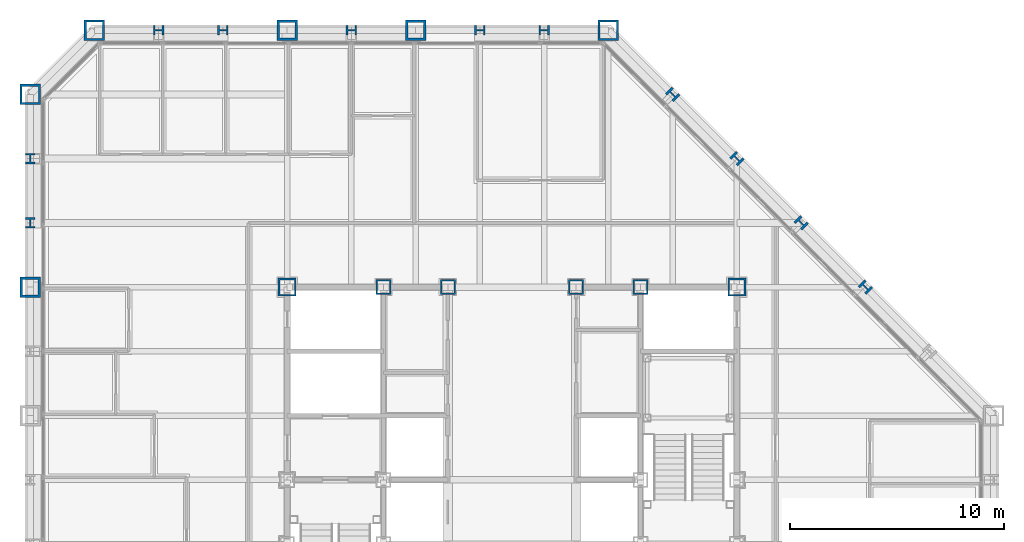
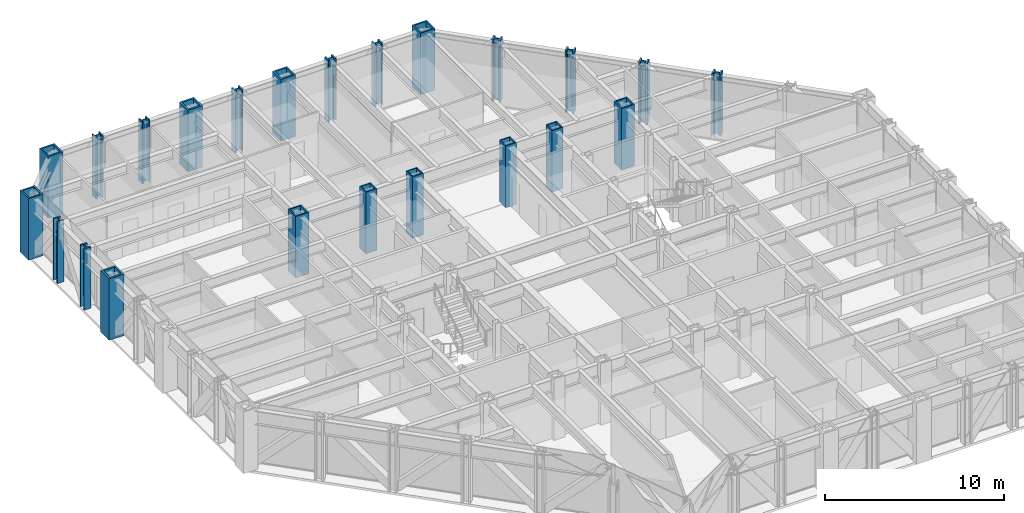
# One storey, part 3 of 16: 23 columns.
"""IFC4 building model written with IfcOpenShell, lengths in metres."""

from ifc_helpers import new_model, si_unit, direction, frame, origin, origin_2d, place, context, subcontext, project, spatial, hollow_rectangle, i_section, extrude, material, material_profile, profile_set, type_object, element, save


model = new_model("IFC4")

# Units and contexts
model_context = context("Model", 3, precision=1e-05, world=origin(), true_north=direction((0.0, 1.0)))
body_context = subcontext(model_context, "Body", "Model", "MODEL_VIEW")
ifc_project = project(units=[si_unit("LENGTHUNIT", "METRE"), si_unit("AREAUNIT", "SQUARE_METRE"), si_unit("VOLUMEUNIT", "CUBIC_METRE"), si_unit("PLANEANGLEUNIT", "RADIAN"), si_unit("MASSUNIT", "GRAM", prefix="KILO")], contexts=[model_context])

# Site, building, storey
site_placement = place(None, origin())
site = spatial("IfcSite", under=ifc_project, at=site_placement, CompositionType="ELEMENT")
building_placement = place(site_placement, origin())
building = spatial("IfcBuilding", under=site, at=building_placement, Name="Chuquiago Exchange Tower", CompositionType="ELEMENT")
storey_placement = place(building_placement, frame((0.0, 0.0, 127.800048828125)))
storey = spatial("IfcBuildingStorey", under=building, at=storey_placement, Name="L27", CompositionType="ELEMENT", Elevation=127.800048828125)

# Columns
ifc_material_1 = material(Name="Steel ASTM A992", Category="steel")
ifc_material_profile_1 = material_profile(ifc_material_1, i_section(OverallWidth=0.431884765625, OverallDepth=0.497802734375, WebThickness=0.0556640625, FlangeThickness=0.0888671875, at=origin_2d()), Name="W14X500")
ifc_profile_set_1 = profile_set([ifc_material_profile_1], Name="Steel ASTM A992")
column_type_1 = type_object("IfcColumnType", Name="C3 W14X500", PredefinedType="COLUMN", material=ifc_profile_set_1)
for number, where, z_axis, x_axis, name in (
    (1, (24.0, 45.0, 0.0), (0.0, 0.0, 1.0), (0.0, 1.0, 0.0), "COL-L27-24_45"),
    (2, (21.0, 45.0, 0.0), (0.0, 0.0, 1.0), (0.0, 1.0, 0.0), "COL-L27-21_45"),
    (3, (15.0, 45.0, 0.0), (0.0, 0.0, 1.0), (0.0, 1.0, 0.0), "COL-L27-15_45"),
    (4, (9.0, 45.0, 0.0), (0.0, 0.0, 1.0), (0.0, 1.0, 0.0), "COL-L27-9_45"),
    (5, (6.0, 45.0, 0.0), (0.0, 0.0, 1.0), (0.0, 1.0, 0.0), "COL-L27-6_45"),
    (6, (0.0, 39.0, 0.0), (0.0, 0.0, 1.0), (-1.0, 0.0, 0.0), "COL-L27-0_39"),
    (7, (0.0, 36.0, 0.0), (0.0, 0.0, 1.0), (-1.0, 0.0, 0.0), "COL-L27-0_36"),
):
    element("IfcColumn", number, at=place(storey_placement, frame(where, z_axis=z_axis, x_axis=x_axis)), inside=storey, type_object=column_type_1, Name=name, PredefinedType="COLUMN", context=body_context, shape_type="SweptSolid", body=[
        extrude(i_section(OverallWidth=0.431884765625, OverallDepth=0.497802734375, WebThickness=0.0556640625, FlangeThickness=0.0888671875, at=origin_2d()), origin(), (0.0, 0.0, 1.0), 4.199951171875),
    ])
ifc_material_2 = material(Name="Steel ASTM A572 Grade 50", Category="steel")
ifc_material_profile_2 = material_profile(ifc_material_2, hollow_rectangle(XDim=0.699951171875, YDim=0.699951171875, WallThickness=0.070068359375, at=origin_2d()), Name="BOX700X700X70")
ifc_profile_set_2 = profile_set([ifc_material_profile_2], Name="Steel ASTM A572 Grade 50")
column_type_2 = type_object("IfcColumnType", Name="CC3 BOX700X700X70", PredefinedType="COLUMN", material=ifc_profile_set_2)
for number, where, z_axis, x_axis, name in (
    (8, (16.5, 33.0, 0.0), (0.0, 0.0, 1.0), (1.0, 0.0, 0.0), "CCOL-L27-16.5_33"),
    (9, (19.5, 33.0, 0.0), (0.0, 0.0, 1.0), (1.0, 0.0, 0.0), "CCOL-L27-19.5_33"),
    (10, (25.5, 33.0, 0.0), (0.0, 0.0, 1.0), (1.0, 0.0, 0.0), "CCOL-L27-25.5_33"),
    (11, (28.5, 33.0, 0.0), (0.0, 0.0, 1.0), (1.0, 0.0, 0.0), "CCOL-L27-28.5_33"),
):
    element("IfcColumn", number, at=place(storey_placement, frame(where, z_axis=z_axis, x_axis=x_axis)), inside=storey, type_object=column_type_2, Name=name, PredefinedType="COLUMN", context=body_context, shape_type="SweptSolid", body=[
        extrude(hollow_rectangle(XDim=0.699951171875, YDim=0.699951171875, WallThickness=0.070068359375, at=origin_2d()), origin(), (0.0, 0.0, 1.0), 4.199951171875),
    ])
ifc_material_3 = material(Name="Steel ASTM A572 Grade 50", Category="steel")
ifc_material_profile_3 = material_profile(ifc_material_3, hollow_rectangle(XDim=0.85009765625, YDim=0.85009765625, WallThickness=0.0849609375, at=origin_2d()), Name="BOX850X850X85")
ifc_profile_set_3 = profile_set([ifc_material_profile_3], Name="Steel ASTM A572 Grade 50")
column_type_3 = type_object("IfcColumnType", Name="CC6 BOX850X850X85", PredefinedType="COLUMN", material=ifc_profile_set_3)
for number, where, z_axis, x_axis, name in (
    (12, (12.0, 33.0, 0.0), (0.0, 0.0, 1.0), (1.0, 0.0, 0.0), "CCOL-L27-12_33"),
    (13, (33.0, 33.0, 0.0), (0.0, 0.0, 1.0), (1.0, 0.0, 0.0), "CCOL-L27-33_33"),
):
    element("IfcColumn", number, at=place(storey_placement, frame(where, z_axis=z_axis, x_axis=x_axis)), inside=storey, type_object=column_type_3, Name=name, PredefinedType="COLUMN", context=body_context, shape_type="SweptSolid", body=[
        extrude(hollow_rectangle(XDim=0.85009765625, YDim=0.85009765625, WallThickness=0.0849609375, at=origin_2d()), origin(), (0.0, 0.0, 1.0), 4.199951171875),
    ])
ifc_material_4 = material(Name="Steel ASTM A992", Category="steel")
ifc_material_profile_4 = material_profile(ifc_material_4, i_section(OverallWidth=0.44189453125, OverallDepth=0.53076171875, WebThickness=0.06591796875, FlangeThickness=0.105712890625, at=origin_2d()), Name="W14X605")
ifc_profile_set_4 = profile_set([ifc_material_profile_4], Name="Steel ASTM A992")
column_type_4 = type_object("IfcColumnType", Name="CK3 W14X605", PredefinedType="COLUMN", material=ifc_profile_set_4)
for number, where, z_axis, x_axis, name in (
    (14, (39.0, 33.0, 0.0), (0.0, 0.0, 1.0), (0.707106781187, 0.707106781187, 0.0), "COL-L27-39_33"),
    (15, (36.0, 36.0, 0.0), (0.0, 0.0, 1.0), (0.707106781187, 0.707106781187, 0.0), "COL-L27-36_36"),
    (16, (33.0, 39.0, 0.0), (0.0, 0.0, 1.0), (0.707106781187, 0.707106781187, 0.0), "COL-L27-33_39"),
    (17, (30.0, 42.0, 0.0), (0.0, 0.0, 1.0), (0.707106781187, 0.707106781187, 0.0), "COL-L27-30_42"),
):
    element("IfcColumn", number, at=place(storey_placement, frame(where, z_axis=z_axis, x_axis=x_axis)), inside=storey, type_object=column_type_4, Name=name, PredefinedType="COLUMN", context=body_context, shape_type="SweptSolid", body=[
        extrude(i_section(OverallWidth=0.44189453125, OverallDepth=0.53076171875, WebThickness=0.06591796875, FlangeThickness=0.105712890625, at=origin_2d()), origin(), (0.0, 0.0, 1.0), 4.199951171875),
    ])
ifc_material_5 = material(Name="Steel ASTM A572 Grade 50", Category="steel")
ifc_material_profile_5 = material_profile(ifc_material_5, hollow_rectangle(XDim=0.949951171875, YDim=0.949951171875, WallThickness=0.094970703125, at=origin_2d()), Name="BOX950X950X95")
ifc_profile_set_5 = profile_set([ifc_material_profile_5], Name="Steel ASTM A572 Grade 50")
column_type_5 = type_object("IfcColumnType", Name="CN1 BOX950X950X95", PredefinedType="COLUMN", material=ifc_profile_set_5)
for number, where, z_axis, x_axis, name in (
    (18, (27.0, 45.0, 0.0), (0.0, 0.0, 1.0), (0.0, 1.0, 0.0), "COL-L27-27_45"),
    (19, (3.0, 45.0, 0.0), (0.0, 0.0, 1.0), (0.0, 1.0, 0.0), "COL-L27-3_45"),
    (20, (0.0, 42.0, 0.0), (0.0, 0.0, 1.0), (-1.0, 0.0, 0.0), "COL-L27-0_42"),
):
    element("IfcColumn", number, at=place(storey_placement, frame(where, z_axis=z_axis, x_axis=x_axis)), inside=storey, type_object=column_type_5, Name=name, PredefinedType="COLUMN", context=body_context, shape_type="SweptSolid", body=[
        extrude(hollow_rectangle(XDim=0.949951171875, YDim=0.949951171875, WallThickness=0.094970703125, at=origin_2d()), origin(), (0.0, 0.0, 1.0), 4.199951171875),
    ])
ifc_material_6 = material(Name="Steel ASTM A572 Grade 42", Category="steel")
ifc_material_profile_6 = material_profile(ifc_material_6, hollow_rectangle(XDim=0.949951171875, YDim=0.949951171875, WallThickness=0.110107421875, at=origin_2d()), Name="BOX950X950X110")
ifc_profile_set_6 = profile_set([ifc_material_profile_6], Name="Steel ASTM A572 Grade 42")
column_type_6 = type_object("IfcColumnType", Name="CT1 BOX950X950X110", PredefinedType="COLUMN", material=ifc_profile_set_6)
for number, where, z_axis, x_axis, name in (
    (21, (18.0, 45.0, 0.0), (0.0, 0.0, 1.0), (0.0, 1.0, 0.0), "COL-L27-18_45"),
    (22, (12.0, 45.0, 0.0), (0.0, 0.0, 1.0), (0.0, 1.0, 0.0), "COL-L27-12_45"),
    (23, (0.0, 33.0, 0.0), (0.0, 0.0, 1.0), (-1.0, 0.0, 0.0), "COL-L27-0_33"),
):
    element("IfcColumn", number, at=place(storey_placement, frame(where, z_axis=z_axis, x_axis=x_axis)), inside=storey, type_object=column_type_6, Name=name, PredefinedType="COLUMN", context=body_context, shape_type="SweptSolid", body=[
        extrude(hollow_rectangle(XDim=0.949951171875, YDim=0.949951171875, WallThickness=0.110107421875, at=origin_2d()), origin(), (0.0, 0.0, 1.0), 4.199951171875),
    ])

save(model, "model.ifc")
